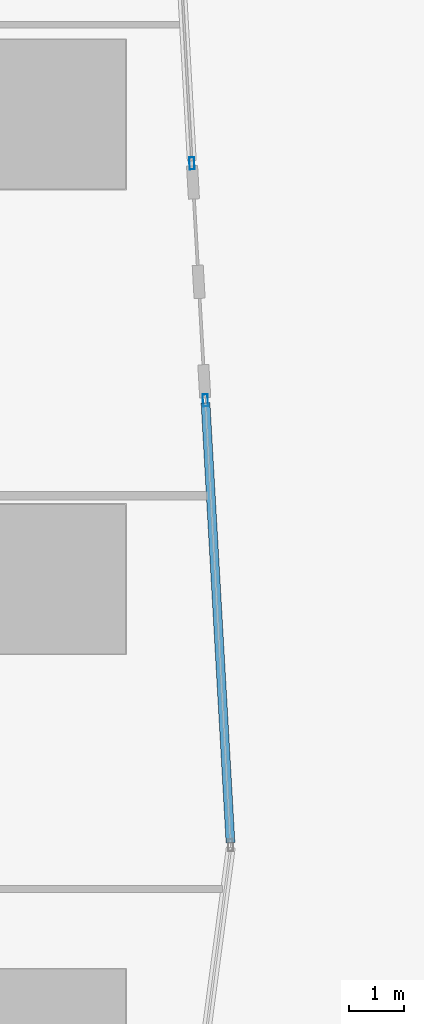
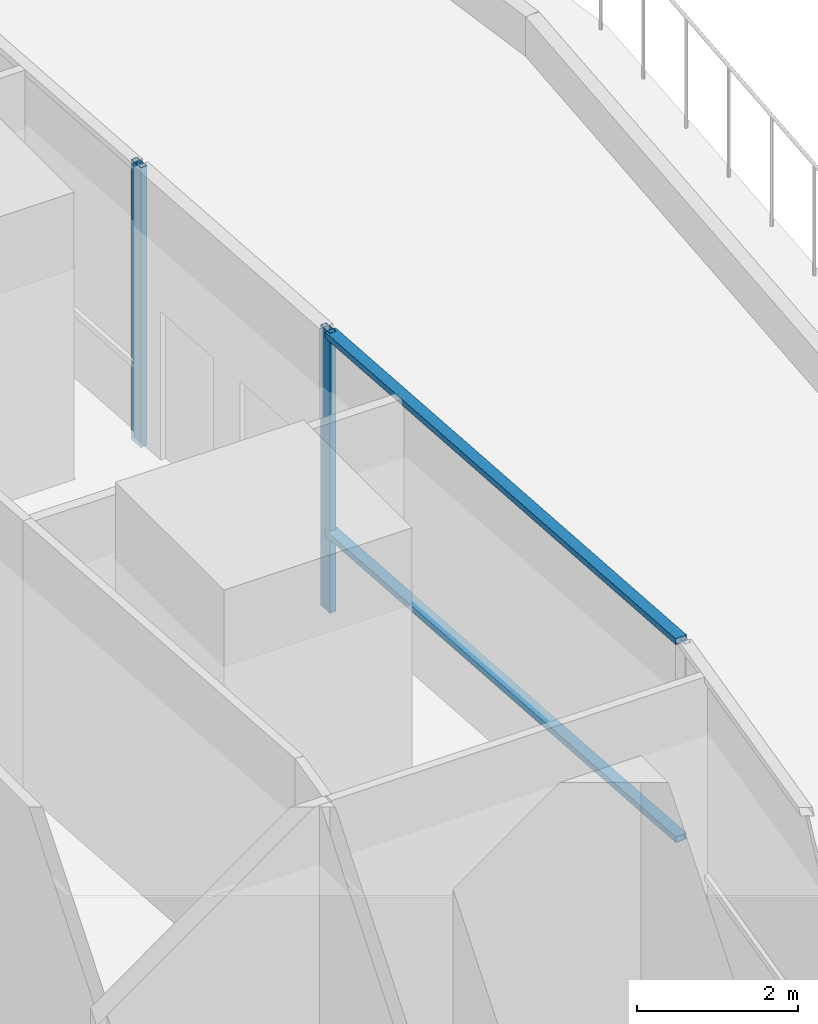
# One storey, part 7 of 39: 4 members, 2 elements without a shape of their own.
"""IFC4 building model written with IfcOpenShell, lengths in metres."""

from ifc_helpers import new_model, si_unit, direction, frame, origin, origin_2d, place, context, subcontext, project, spatial, hollow_rectangle, extrude, material, material_profile, profile_set, type_object, element, aggregate, save


model = new_model("IFC4")

# Units and contexts
model_context = context("Model", 3, precision=1e-05, world=origin(), true_north=direction((0.0, 1.0)))
body_context = subcontext(model_context, "Body", "Model", "MODEL_VIEW")
ifc_project = project(units=[si_unit("LENGTHUNIT", "METRE"), si_unit("AREAUNIT", "SQUARE_METRE"), si_unit("VOLUMEUNIT", "CUBIC_METRE"), si_unit("PLANEANGLEUNIT", "RADIAN"), si_unit("MASSUNIT", "GRAM", prefix="KILO")], contexts=[model_context])

# Site, building, storey
site_placement = place(None, origin())
site = spatial("IfcSite", under=ifc_project, at=site_placement, CompositionType="ELEMENT")
building_placement = place(site_placement, origin())
building = spatial("IfcBuilding", under=site, at=building_placement, Name="Rekha Terrace Tower", CompositionType="ELEMENT")
storey_placement = place(building_placement, frame((0.0, 0.0, 168.199951171875)))
storey = spatial("IfcBuildingStorey", under=building, at=storey_placement, Name="L42", CompositionType="ELEMENT", Elevation=168.199951171875)

# Curtain wall, member
ifc_material_1 = material(Name="Aluminium framing", Category="aluminium")
curtain_wall_type = type_object("IfcCurtainWallType", Name="CW5 sky garden glazing", PredefinedType="USERDEFINED", material=ifc_material_1)
curtain_wall_1_placement = place(storey_placement, origin())
curtain_wall_1 = element("IfcCurtainWall", 1, at=curtain_wall_1_placement, inside=storey, type_object=curtain_wall_type, Name="CW5 sky garden curtain wall", ObjectType="SKY GARDEN CURTAIN WALL", PredefinedType="USERDEFINED")
ifc_material_2 = material(Name="Aluminium mullion section", Category="aluminium")
ifc_material_profile_1 = material_profile(ifc_material_2, hollow_rectangle(XDim=0.090087890625, YDim=0.219970703125, WallThickness=0.00390625, at=origin_2d()), Name="AL RHS 90x220")
ifc_profile_set_1 = profile_set([ifc_material_profile_1], Name="Aluminium mullion section")
member_type_1 = type_object("IfcMemberType", Name="CW5 mullion RHS 90 x 220", PredefinedType="MULLION", material=ifc_profile_set_1)
member_1_placement = place(storey_placement, frame((61.59033203125, 36.830078125, 0.0), z_axis=(0.0, 0.0, 1.0), x_axis=(-0.998392782918, -0.056673194877, 0.0)))
member_1 = element("IfcMember", 2, at=member_1_placement, type_object=member_type_1, Name="CW5 mullion 2", PredefinedType="MULLION", context=body_context, shape_type="SweptSolid", body=[
    extrude(hollow_rectangle(XDim=0.090087890625, YDim=0.219970703125, WallThickness=0.00390625, at=origin_2d()), origin(), (0.0, 0.0, 1.0), 4.25),
])

curtain_wall_2_placement = place(storey_placement, origin())
curtain_wall_2 = element("IfcCurtainWall", 3, at=curtain_wall_2_placement, inside=storey, type_object=curtain_wall_type, Name="CW5 sky garden curtain wall", ObjectType="SKY GARDEN CURTAIN WALL", PredefinedType="USERDEFINED")
member_2_placement = place(storey_placement, frame((61.347412109375, 41.11328125, 0.0), z_axis=(0.0, 0.0, 1.0), x_axis=(-0.998392782915, -0.056673194929, 0.0)))
member_2 = element("IfcMember", 4, at=member_2_placement, type_object=member_type_1, Name="CW5 mullion 1", PredefinedType="MULLION", context=body_context, shape_type="SweptSolid", body=[
    extrude(hollow_rectangle(XDim=0.090087890625, YDim=0.219970703125, WallThickness=0.00390625, at=origin_2d()), origin(), (0.0, 0.0, 1.0), 4.25),
])
aggregate(curtain_wall_2, [member_2])

# Member
ifc_material_3 = material(Name="Aluminium transom section", Category="aluminium")
ifc_material_profile_2 = material_profile(ifc_material_3, hollow_rectangle(XDim=0.159912109375, YDim=0.090087890625, WallThickness=0.0029296875, at=origin_2d()), Name="AL RHS 160x90")
ifc_profile_set_2 = profile_set([ifc_material_profile_2], Name="Aluminium transom section")
member_type_2 = type_object("IfcMemberType", Name="CW5 transom RHS 90 x 160", PredefinedType="USERDEFINED", material=ifc_profile_set_2)
member_3_placement = place(storey_placement, frame((62.044189453125, 28.83740234375, 1.199951171875), z_axis=(-0.056675971357, 0.998392625309, 0.0), x_axis=(-0.998392625309, -0.056675971357, 0.0)))
member_3 = element("IfcMember", 5, at=member_3_placement, type_object=member_type_2, Name="CW5 transom 1.2", ObjectType="TRANSOM", PredefinedType="USERDEFINED", context=body_context, shape_type="SweptSolid", body=[
    extrude(hollow_rectangle(XDim=0.159912109375, YDim=0.090087890625, WallThickness=0.0029296875, at=origin_2d()), origin(), (0.0, 0.0, 1.0), 7.96044921875),
])

member_4_placement = place(storey_placement, frame((62.044189453125, 28.83740234375, 4.205078125), z_axis=(-0.056675971357, 0.998392625309, 0.0), x_axis=(-0.998392625309, -0.056675971357, 0.0)))
member_4 = element("IfcMember", 6, at=member_4_placement, type_object=member_type_2, Name="CW5 transom 1.3", ObjectType="TRANSOM", PredefinedType="USERDEFINED", context=body_context, shape_type="SweptSolid", body=[
    extrude(hollow_rectangle(XDim=0.159912109375, YDim=0.090087890625, WallThickness=0.0029296875, at=origin_2d()), origin(), (0.0, 0.0, 1.0), 7.96044921875),
])

aggregate(curtain_wall_1, [member_1, member_3, member_4])

save(model, "model.ifc")
